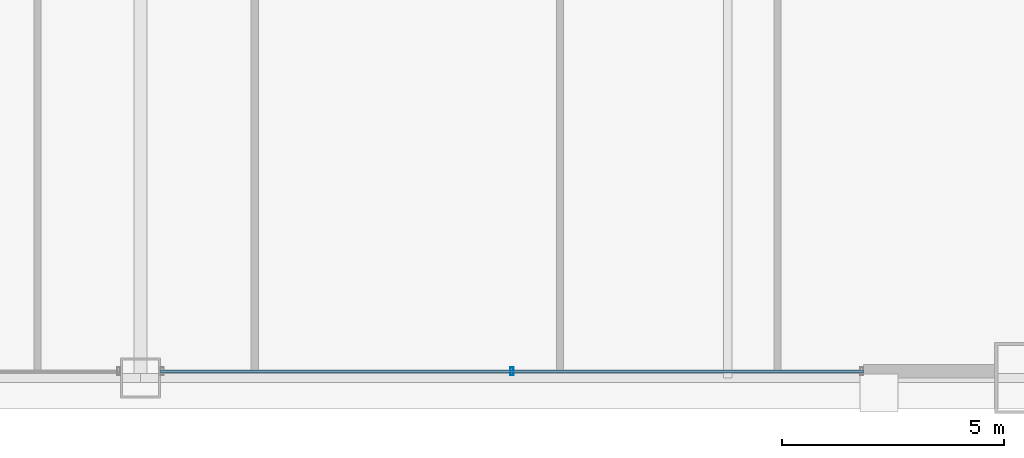
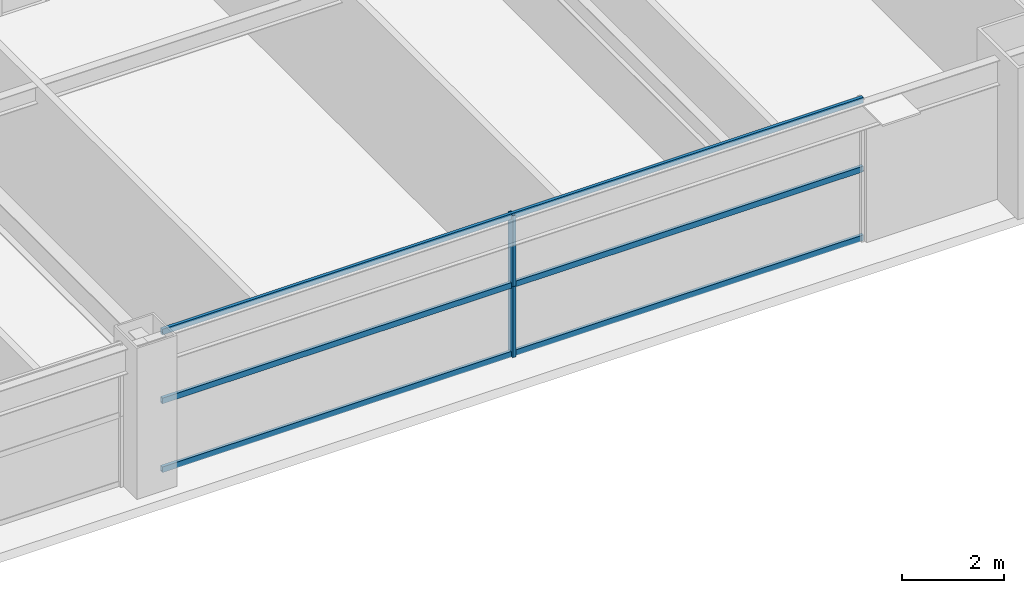
# One storey, part 14 of 39: 5 members, 1 element without a shape of its own.
"""IFC4 building model written with IfcOpenShell, lengths in metres."""

import ifcopenshell
import ifcopenshell.guid

model = None  # the IFC model being written
_history = None  # IfcOwnerHistory: only IFC2X3 demands one
_inside = {}  # id of a spatial element -> (the spatial element, [elements in it])
_under = {}  # id of a project, library or spatial element -> (it, [spatial elements below it])
_declared = {}  # id of a project -> (the project, [libraries it declares])
_typed = {}  # id of a type object -> (the type object, [elements of that type])
_made_of = {}  # id of a material, layer set ... -> (it, [elements and type objects made of it])


def new_model(schema):
    """Start an empty IFC model of exactly this schema.

    Asked for "IFC4X3", IfcOpenShell would pick the latest addendum, in which some entities
    have other attributes; the version numbers below select the first issue.
    IFC2X3 requires an IfcOwnerHistory on every rooted entity: one is made here for all.
    """
    global model, _history
    if schema == "IFC4X3":
        model = ifcopenshell.file(schema_version=(4, 3, 0, 0))
    else:
        model = ifcopenshell.file(schema=schema)
    _inside.clear()
    _under.clear()
    _declared.clear()
    _typed.clear()
    _made_of.clear()
    _history = None
    if model.schema == "IFC2X3":
        org = make("IfcOrganization", Name="unknown")
        user = make(
            "IfcPersonAndOrganization",
            ThePerson=make("IfcPerson", FamilyName="unknown"),
            TheOrganization=org,
        )
        app = make(
            "IfcApplication",
            ApplicationDeveloper=org,
            Version="unknown",
            ApplicationFullName="unknown",
            ApplicationIdentifier="unknown",
        )
        _history = make(
            "IfcOwnerHistory",
            OwningUser=user,
            OwningApplication=app,
            ChangeAction="ADDED",
            CreationDate=0,
        )
    return model


def make(cls, **values):
    """One entity of the class cls with the attributes given. An attribute that is None is left unset."""
    return model.create_entity(
        cls, **{name: value for name, value in values.items() if value is not None}
    )


def rooted(cls, **values):
    """An entity with a GlobalId (a new one), such as an element, a storey or a relation."""
    return make(cls, GlobalId=ifcopenshell.guid.new(), OwnerHistory=_history, **values)


def si_unit(unit_type, name, prefix=None):
    """IfcSIUnit, for example si_unit("LENGTHUNIT", "METRE", prefix="MILLI")."""
    return make("IfcSIUnit", UnitType=unit_type, Prefix=prefix, Name=name)


def assignment(units):
    """IfcUnitAssignment: the units of a project."""
    return None if units is None else make("IfcUnitAssignment", Units=units)


def point(xyz):
    """IfcCartesianPoint."""
    return None if xyz is None else make("IfcCartesianPoint", Coordinates=xyz)


def direction(xyz):
    """IfcDirection."""
    return None if xyz is None else make("IfcDirection", DirectionRatios=xyz)


def frame(location, z_axis=None, x_axis=None):
    """IfcAxis2Placement3D, a coordinate frame: its origin and axes. An axis left out is left unset."""
    return make(
        "IfcAxis2Placement3D",
        Location=point(location),
        Axis=direction(z_axis),
        RefDirection=direction(x_axis),
    )


def frame_2d(location, x_axis=None):
    """IfcAxis2Placement2D, a coordinate frame in the plane: its origin and x axis."""
    return make(
        "IfcAxis2Placement2D", Location=point(location), RefDirection=direction(x_axis)
    )


def origin():
    """The frame at (0, 0, 0) with its axes left unset."""
    return frame((0.0, 0.0, 0.0))


def origin_2d():
    """The frame at (0, 0) in the plane with its x axis left unset."""
    return frame_2d((0.0, 0.0))


def place(relative_to, where):
    """IfcLocalPlacement: puts the frame where relative to a parent placement (None: the world)."""
    return make(
        "IfcLocalPlacement", PlacementRelTo=relative_to, RelativePlacement=where
    )


def context(
    kind, dimensions, precision=None, world=None, true_north=None, identifier=None
):
    """IfcGeometricRepresentationContext, for example the 3D "Model" context."""
    return make(
        "IfcGeometricRepresentationContext",
        ContextIdentifier=identifier,
        ContextType=kind,
        CoordinateSpaceDimension=dimensions,
        Precision=precision,
        WorldCoordinateSystem=world,
        TrueNorth=true_north,
    )


def subcontext(parent, identifier, kind, view, scale=None):
    """IfcGeometricRepresentationSubContext, for example "Body" below "Model"."""
    return make(
        "IfcGeometricRepresentationSubContext",
        ContextIdentifier=identifier,
        ContextType=kind,
        ParentContext=parent,
        TargetScale=scale,
        TargetView=view,
    )


def project(units=None, contexts=None):
    """IfcProject with its units and contexts."""
    return rooted(
        "IfcProject",
        Name="project",
        RepresentationContexts=contexts,
        UnitsInContext=assignment(units),
    )


def spatial(cls, under=None, at=None, **own):
    """A site, building, storey or space (cls), placed at a placement, below another one or the project."""
    s = rooted(cls, ObjectPlacement=at, **own)
    if under is not None:
        _under.setdefault(under.id(), (under, []))[1].append(s)
    return s


def profile(cls, at=None, kind="AREA", **sizes):
    """A parametric profile (cls). Its sizes go by their IFC names, for example OverallWidth=200.0."""
    return make(cls, ProfileType=kind, Position=at, **sizes)


def hollow_rectangle(**sizes):
    """IfcRectangleHollowProfileDef."""
    return profile("IfcRectangleHollowProfileDef", **sizes)


def extrude(swept, where, along, depth):
    """IfcExtrudedAreaSolid: the profile swept, set in the frame where, extruded along a direction by depth."""
    return make(
        "IfcExtrudedAreaSolid",
        SweptArea=swept,
        Position=where,
        ExtrudedDirection=direction(along),
        Depth=depth,
    )


def shape(context_of_items, identifier, shape_type, items):
    """IfcShapeRepresentation: the items that make up one representation, for example the "Body"."""
    return make(
        "IfcShapeRepresentation",
        ContextOfItems=context_of_items,
        RepresentationIdentifier=identifier,
        RepresentationType=shape_type,
        Items=items,
    )


def source(mapping_origin, context_of_items, identifier, shape_type, items):
    """IfcRepresentationMap: a shape defined once, which mapped items show again and again."""
    return make(
        "IfcRepresentationMap",
        MappingOrigin=mapping_origin,
        MappedRepresentation=shape(context_of_items, identifier, shape_type, items),
    )


def transform(
    local_origin,
    x_axis=None,
    y_axis=None,
    z_axis=None,
    scale=None,
    scale2=None,
    scale3=None,
    uniform=True,
):
    """IfcCartesianTransformationOperator3D, or its non-uniform kind. x_axis, y_axis, z_axis: its Axis1, 2, 3."""
    if uniform:
        return make(
            "IfcCartesianTransformationOperator3D",
            Axis1=direction(x_axis),
            Axis2=direction(y_axis),
            LocalOrigin=point(local_origin),
            Scale=scale,
            Axis3=direction(z_axis),
        )
    return make(
        "IfcCartesianTransformationOperator3DnonUniform",
        Axis1=direction(x_axis),
        Axis2=direction(y_axis),
        LocalOrigin=point(local_origin),
        Scale=scale,
        Axis3=direction(z_axis),
        Scale2=scale2,
        Scale3=scale3,
    )


def mapped(mapping_source, mapping_target):
    """IfcMappedItem: shows the shape of a source again, moved by a transform."""
    return make(
        "IfcMappedItem", MappingSource=mapping_source, MappingTarget=mapping_target
    )


def material(Name=None, Category=None):
    """IfcMaterial."""
    return make("IfcMaterial", Name=Name, Category=Category)


def layer(
    of_material, thickness, ventilated=None, Name=None, Category=None, Priority=None
):
    """IfcMaterialLayer: one layer of a wall or slab, of a material (None: an air gap)."""
    return make(
        "IfcMaterialLayer",
        Material=of_material,
        LayerThickness=thickness,
        IsVentilated=ventilated,
        Name=Name,
        Category=Category,
        Priority=Priority,
    )


def layer_set(layers, Name=None):
    """IfcMaterialLayerSet."""
    return make("IfcMaterialLayerSet", MaterialLayers=layers, LayerSetName=Name)


def material_profile(
    of_material, cross_section, Name=None, Category=None, Priority=None
):
    """IfcMaterialProfile: a cross section and its material."""
    return make(
        "IfcMaterialProfile",
        Name=Name,
        Material=of_material,
        Profile=cross_section,
        Priority=Priority,
        Category=Category,
    )


def profile_set(profiles, Name=None, composite=None):
    """IfcMaterialProfileSet."""
    return make(
        "IfcMaterialProfileSet",
        Name=Name,
        MaterialProfiles=profiles,
        CompositeProfile=composite,
    )


def made_of(thing, what):
    """Note that an element or type object is made of a material, layer set ...; save() writes the relation."""
    if what is not None:
        _made_of.setdefault(what.id(), (what, []))[1].append(thing)
    return thing


def type_object(cls, material=None, **own):
    """A type object (cls), such as IfcWallType, which elements share."""
    return made_of(rooted(cls, **own), material)


def element(
    cls,
    number,
    at=None,
    inside=None,
    cuts=None,
    type_object=None,
    material=None,
    context=None,
    identifier="Body",
    shape_type=None,
    held_by="IfcProductDefinitionShape",
    body=None,
    shapes=None,
    **own,
):
    """One element of the class cls, such as IfcWall. Its Tag is "e" and its number.

    at: its placement. inside: the storey or other place that contains it. cuts: it is an
    opening in that element (IfcRelVoidsElement). A single representation is given by context,
    identifier, shape_type and body (its items); several are given by shapes. held_by: the class
    of the entity that holds the representations. save() writes the other relations.
    """
    e = rooted(cls, Tag="e%d" % number, ObjectPlacement=at, **own)
    if body is not None:
        shapes = [shape(context, identifier, shape_type, body)]
    if shapes is not None:
        e.Representation = make(held_by, Representations=shapes)
    if inside is not None:
        _inside.setdefault(inside.id(), (inside, []))[1].append(e)
    if cuts is not None:
        rooted(
            "IfcRelVoidsElement", RelatingBuildingElement=cuts, RelatedOpeningElement=e
        )
    if type_object is not None:
        _typed.setdefault(type_object.id(), (type_object, []))[1].append(e)
    return made_of(e, material)


def aggregate(whole, parts):
    """IfcRelAggregates: a whole, such as a stair, and the parts it consists of."""
    return rooted("IfcRelAggregates", RelatingObject=whole, RelatedObjects=parts)


def save(model, path):
    """Write the relations noted so far, then the file.

    IfcRelAggregates (storeys below a building ...), IfcRelContainedInSpatialStructure (elements
    in a storey), IfcRelDefinesByType, IfcRelAssociatesMaterial and IfcRelDeclares: one each for
    every whole, place, type object, material and project.
    """
    for whole, parts in _under.values():
        aggregate(whole, parts)
    for where, things in _inside.values():
        rooted(
            "IfcRelContainedInSpatialStructure",
            RelatedElements=things,
            RelatingStructure=where,
        )
    for kind, things in _typed.values():
        rooted("IfcRelDefinesByType", RelatedObjects=things, RelatingType=kind)
    for what, things in _made_of.values():
        rooted("IfcRelAssociatesMaterial", RelatedObjects=things, RelatingMaterial=what)
    for by, libraries in _declared.values():
        rooted("IfcRelDeclares", RelatingContext=by, RelatedDefinitions=libraries)
    model.write(path)


model = new_model("IFC4")

# Units and contexts
model_context = context("Model", 3, precision=1e-05, world=origin(), true_north=direction((0.0, 1.0)))
body_context = subcontext(model_context, "Body", "Model", "MODEL_VIEW")
ifc_project = project(units=[si_unit("LENGTHUNIT", "METRE"), si_unit("AREAUNIT", "SQUARE_METRE"), si_unit("VOLUMEUNIT", "CUBIC_METRE"), si_unit("PLANEANGLEUNIT", "RADIAN"), si_unit("MASSUNIT", "GRAM", prefix="KILO"), si_unit("THERMODYNAMICTEMPERATUREUNIT", "KELVIN"), si_unit("POWERUNIT", "WATT")], contexts=[model_context])

# Site, building, storey
site_placement = place(None, origin())
site = spatial("IfcSite", under=ifc_project, at=site_placement, CompositionType="ELEMENT")
building_placement = place(site_placement, origin())
building = spatial("IfcBuilding", under=site, at=building_placement, Name="Yuzanri Waterfront Tower", CompositionType="ELEMENT")
storey_placement = place(building_placement, frame((0.0, 0.0, 156.0)))
storey = spatial("IfcBuildingStorey", under=building, at=storey_placement, Name="L41", CompositionType="ELEMENT", Elevation=156.0)

# Curtain wall, members
ifc_material_1 = material(Name="Anodized Architectural Bronze", Category="metal")
ifc_layer = layer(ifc_material_1, 0.159912109375)
ifc_layer_set = layer_set([ifc_layer], Name="Anodized Architectural Bronze")
curtain_wall_type = type_object("IfcCurtainWallType", Name="Anodized Bronze Hotel Upper-Tier Solar-Control Unitized Curtain Wall 7800", PredefinedType="NOTDEFINED", material=ifc_layer_set)
curtain_wall_placement = place(storey_placement, origin())
curtain_wall = element("IfcCurtainWall", 1, at=curtain_wall_placement, inside=storey, type_object=curtain_wall_type, Name="L41 Curtain Wall CW-L41-SR", PredefinedType="NOTDEFINED")
ifc_material_2 = material(Name="Anodized Architectural Bronze", Category="metal")
ifc_material_profile_1 = material_profile(ifc_material_2, hollow_rectangle(XDim=0.070068359375, YDim=0.179931640625, WallThickness=0.00390625, at=origin_2d()), Name="CWM 70x180")
ifc_profile_set_1 = profile_set([ifc_material_profile_1], Name="Anodized Architectural Bronze")
member_type_1 = type_object("IfcMemberType", Name="Anodized Bronze Standard Curtain-Wall Mullion 70x180", PredefinedType="MULLION", material=ifc_profile_set_1)
shared_shape_1 = source(origin(), body_context, "Body", "SweptSolid", [
    extrude(hollow_rectangle(XDim=0.070068359375, YDim=0.179931640625, WallThickness=0.00390625, at=origin_2d()), origin(), (0.0, 0.0, 1.0), 1.68798828125),
])
member_1_placement = place(storey_placement, frame((45.35009765625, 2.35009765625, 0.0), z_axis=(0.0, 0.0, 1.0), x_axis=(1.0, 0.0, 0.0)))
member_1 = element("IfcMember", 2, at=member_1_placement, type_object=member_type_1, Name="CW-L41-SR Lower Mullion 01", PredefinedType="MULLION", context=body_context, shape_type="MappedRepresentation", body=[
    mapped(shared_shape_1, transform((0.0, 0.0, 0.0), scale=1.0)),
])
member_2_placement = place(storey_placement, frame((45.35009765625, 2.35009765625, 1.69189453125), z_axis=(0.0, 0.0, 1.0), x_axis=(1.0, 0.0, 0.0)))
member_2 = element("IfcMember", 3, at=member_2_placement, type_object=member_type_1, Name="CW-L41-SR Upper Mullion 01", PredefinedType="MULLION", context=body_context, shape_type="MappedRepresentation", body=[
    mapped(shared_shape_1, transform((0.0, 0.0, 0.0), scale=1.0)),
])
ifc_material_3 = material(Name="Anodized Architectural Bronze", Category="metal")
ifc_material_profile_2 = material_profile(ifc_material_3, hollow_rectangle(XDim=0.070068359375, YDim=0.135009765625, WallThickness=0.00341796875, at=origin_2d()), Name="CWT 70x135")
ifc_profile_set_2 = profile_set([ifc_material_profile_2], Name="Anodized Architectural Bronze")
member_type_2 = type_object("IfcMemberType", Name="Anodized Bronze Standard Curtain-Wall Transom 70x135", PredefinedType="USERDEFINED", material=ifc_profile_set_2)
shared_shape_2 = source(origin(), body_context, "Body", "SweptSolid", [
    extrude(hollow_rectangle(XDim=0.070068359375, YDim=0.135009765625, WallThickness=0.00341796875, at=origin_2d()), origin(), (0.0, 0.0, 1.0), 15.800048828125),
])
member_3_placement = place(storey_placement, frame((37.449951171875, 2.35009765625, 0.050048828125), z_axis=(1.0, 0.0, 0.0), x_axis=(0.0, 1.0, 0.0)))
member_3 = element("IfcMember", 4, at=member_3_placement, type_object=member_type_2, Name="CW-L41-SR Transom 1", ObjectType="TRANSOM", PredefinedType="USERDEFINED", context=body_context, shape_type="MappedRepresentation", body=[
    mapped(shared_shape_2, transform((0.0, 0.0, 0.0), scale=1.0)),
])
member_4_placement = place(storey_placement, frame((37.449951171875, 2.35009765625, 1.68994140625), z_axis=(1.0, 0.0, 0.0), x_axis=(0.0, 1.0, 0.0)))
member_4 = element("IfcMember", 5, at=member_4_placement, type_object=member_type_2, Name="CW-L41-SR Transom 2", ObjectType="TRANSOM", PredefinedType="USERDEFINED", context=body_context, shape_type="MappedRepresentation", body=[
    mapped(shared_shape_2, transform((0.0, 0.0, 0.0), scale=1.0)),
])
member_5_placement = place(storey_placement, frame((37.449951171875, 2.35009765625, 3.330078125), z_axis=(1.0, 0.0, 0.0), x_axis=(0.0, 1.0, 0.0)))
member_5 = element("IfcMember", 6, at=member_5_placement, type_object=member_type_2, Name="CW-L41-SR Transom 3", ObjectType="TRANSOM", PredefinedType="USERDEFINED", context=body_context, shape_type="MappedRepresentation", body=[
    mapped(shared_shape_2, transform((0.0, 0.0, 0.0), scale=1.0)),
])
aggregate(curtain_wall, [member_1, member_2, member_3, member_4, member_5])

save(model, "model.ifc")
